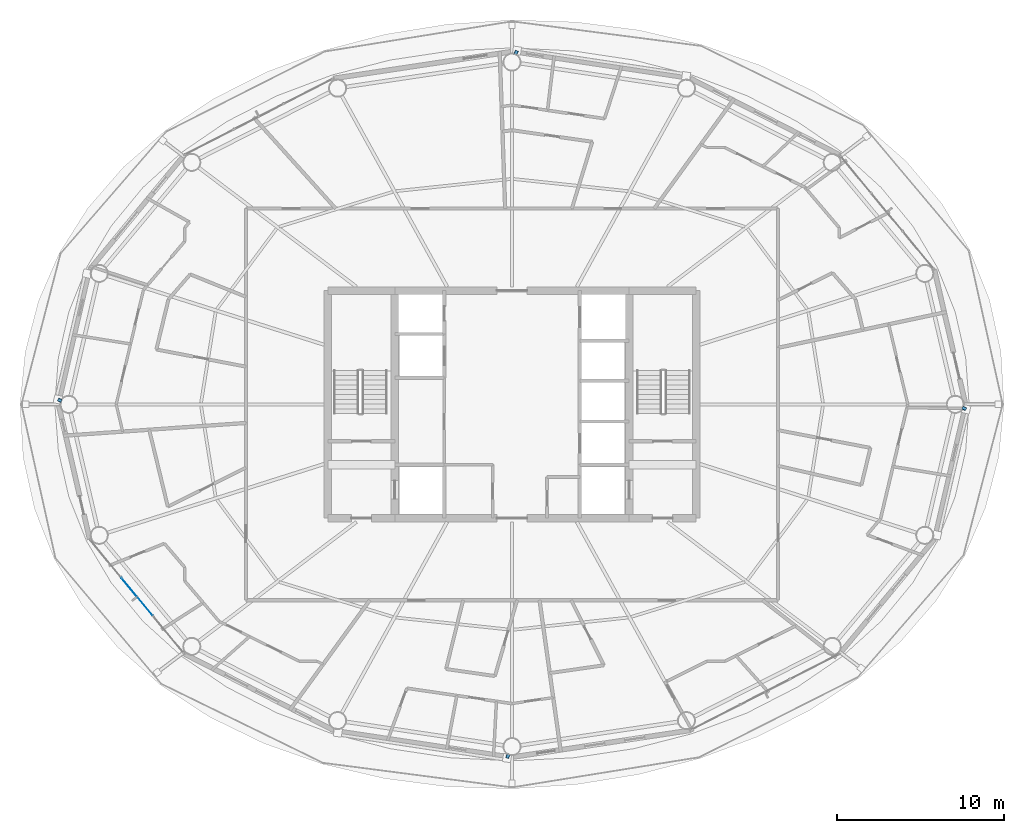
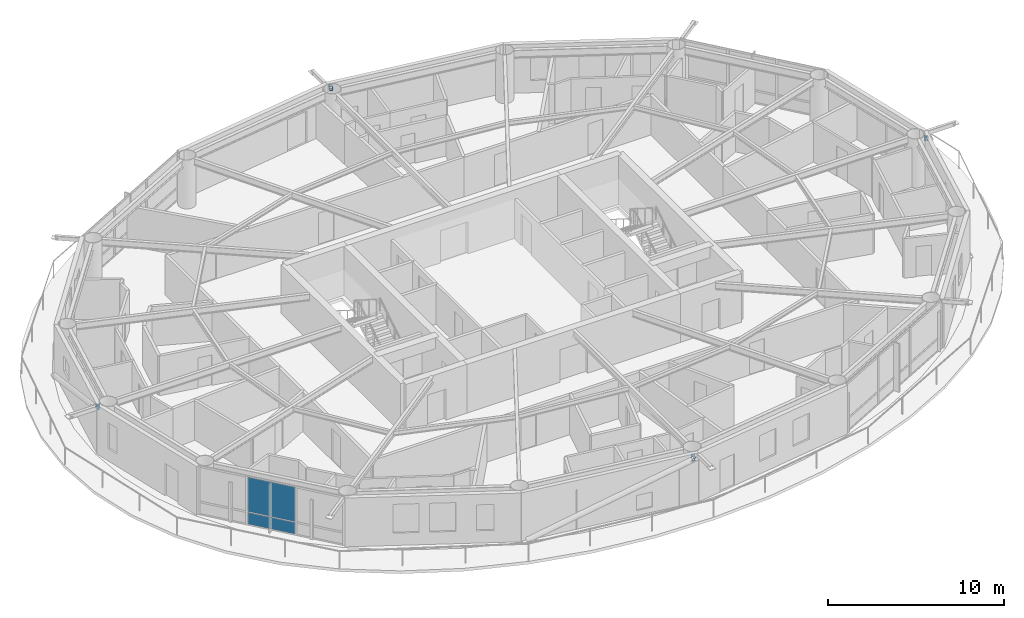
# One storey, part 16 of 30: 4 members, 2 plates, 1 element without a shape of its own.
"""IFC4 building model written with IfcOpenShell, lengths in metres."""

from ifc_helpers import new_model, si_unit, direction, frame, origin, origin_2d, place, context, subcontext, project, spatial, rectangle, hollow_rectangle, extrude, material, layer, layer_set, material_profile, profile_set, type_object, element, aggregate, save


model = new_model("IFC4")

# Units and contexts
model_context = context("Model", 3, precision=1e-05, world=origin(), true_north=direction((0.0, 1.0)))
body_context = subcontext(model_context, "Body", "Model", "MODEL_VIEW")
ifc_project = project(units=[si_unit("LENGTHUNIT", "METRE"), si_unit("AREAUNIT", "SQUARE_METRE"), si_unit("VOLUMEUNIT", "CUBIC_METRE"), si_unit("PLANEANGLEUNIT", "RADIAN"), si_unit("MASSUNIT", "GRAM", prefix="KILO")], contexts=[model_context])

# Site, building, storey
site_placement = place(None, origin())
site = spatial("IfcSite", under=ifc_project, at=site_placement, CompositionType="ELEMENT")
building_placement = place(site_placement, origin())
building = spatial("IfcBuilding", under=site, at=building_placement, Name="Sarneth Arch Tower", CompositionType="ELEMENT")
storey_placement = place(building_placement, frame((0.0, 0.0, 161.39990234375)))
storey = spatial("IfcBuildingStorey", under=building, at=storey_placement, Name="L40", CompositionType="ELEMENT", Elevation=161.39990234375)

# Members
ifc_material_1 = material(Name="Steel S355", Category="steel")
ifc_material_profile = material_profile(ifc_material_1, hollow_rectangle(XDim=0.199951171875, YDim=0.300048828125, WallThickness=0.012451171875, InnerFilletRadius=0.018798828125, OuterFilletRadius=0.03125, at=origin_2d()), Name="RHS300x200x12.5")
ifc_profile_set = profile_set([ifc_material_profile], Name="Steel S355")
member_type = type_object("IfcMemberType", Name="MEM-CANT-STRUT", PredefinedType="STRUT", material=ifc_profile_set)
member_1_placement = place(storey_placement, frame((48.187744140625, 62.883544921875, 3.05078125), z_axis=(0.397032763308, 0.917804437154, 0.0), x_axis=(-0.917804437154, 0.397032763308, 0.0)))
element("IfcMember", 1, at=member_1_placement, inside=storey, type_object=member_type, Name="L40 Exoskeleton brace node strut 04B", PredefinedType="STRUT", context=body_context, shape_type="SweptSolid", body=[
    extrude(hollow_rectangle(XDim=0.199951171875, YDim=0.300048828125, WallThickness=0.012451171875, InnerFilletRadius=0.018798828125, OuterFilletRadius=0.03125, at=origin_2d()), origin(), (0.0, 0.0, 1.0), 0.274169921875),
])
member_2_placement = place(storey_placement, frame((21.0830078125, 42.19580078125, 3.05078125), z_axis=(-0.910186836564, 0.414197926777, 0.0), x_axis=(-0.414197926777, -0.910186836564, 0.0)))
element("IfcMember", 2, at=member_2_placement, inside=storey, type_object=member_type, Name="L40 Exoskeleton brace node strut 08B", PredefinedType="STRUT", context=body_context, shape_type="SweptSolid", body=[
    extrude(hollow_rectangle(XDim=0.199951171875, YDim=0.300048828125, WallThickness=0.012451171875, InnerFilletRadius=0.018798828125, OuterFilletRadius=0.03125, at=origin_2d()), origin(), (0.0, 0.0, 1.0), 0.23291015625),
])
member_3_placement = place(storey_placement, frame((47.812255859375, 21.116455078125, 3.05078125), z_axis=(-0.397032763308, -0.917804437154, 0.0), x_axis=(0.917804437154, -0.397032763308, 0.0)))
element("IfcMember", 3, at=member_3_placement, inside=storey, type_object=member_type, Name="L40 Exoskeleton brace node strut 12B", PredefinedType="STRUT", context=body_context, shape_type="SweptSolid", body=[
    extrude(hollow_rectangle(XDim=0.199951171875, YDim=0.300048828125, WallThickness=0.012451171875, InnerFilletRadius=0.018798828125, OuterFilletRadius=0.03125, at=origin_2d()), origin(), (0.0, 0.0, 1.0), 0.274169921875),
])
member_4_placement = place(storey_placement, frame((74.9169921875, 41.80419921875, 3.05078125), z_axis=(0.910186836564, -0.414197926777, 0.0), x_axis=(0.414197926777, 0.910186836564, 0.0)))
element("IfcMember", 4, at=member_4_placement, inside=storey, type_object=member_type, Name="L40 Exoskeleton brace node strut 16B", PredefinedType="STRUT", context=body_context, shape_type="SweptSolid", body=[
    extrude(hollow_rectangle(XDim=0.199951171875, YDim=0.300048828125, WallThickness=0.012451171875, InnerFilletRadius=0.018798828125, OuterFilletRadius=0.03125, at=origin_2d()), origin(), (0.0, 0.0, 1.0), 0.23291015625),
])

# Curtain wall, plates
ifc_material_2 = material(Name="Anodised aluminium Type AA25 and solar-control low-e laminated IGU", Category="aluminium")
ifc_layer_1 = layer(ifc_material_2, 0.169921875)
ifc_layer_set_1 = layer_set([ifc_layer_1], Name="Anodised aluminium Type AA25 and solar-control low-e laminated IGU")
curtain_wall_type = type_object("IfcCurtainWallType", Name="CW-RES-MID", PredefinedType="NOTDEFINED", material=ifc_layer_set_1)
curtain_wall_placement = place(storey_placement, origin())
curtain_wall = element("IfcCurtainWall", 5, at=curtain_wall_placement, inside=storey, type_object=curtain_wall_type, Name="L40 Unitised curtain wall facet 10", PredefinedType="NOTDEFINED")
ifc_material_3 = material(Name="Solar-control low-e laminated IGU", Category="glass")
ifc_layer_2 = layer(ifc_material_3, 0.028076171875)
ifc_layer_set_2 = layer_set([ifc_layer_2], Name="Solar-control low-e laminated IGU")
plate_type = type_object("IfcPlateType", Name="CW-PANEL", PredefinedType="CURTAIN_PANEL", material=ifc_layer_set_2)
plate_1_placement = place(storey_placement, frame((25.595703125, 30.513671875, 0.06005859375), z_axis=(0.0, 0.0, 1.0), x_axis=(0.637330298558, -0.770590741276, 0.0)))
plate_1 = element("IfcPlate", 6, at=plate_1_placement, type_object=plate_type, Name="Curtain wall glazed vision pane CW-L40-F10/P01-00", PredefinedType="CURTAIN_PANEL", context=body_context, shape_type="SweptSolid", body=[
    extrude(rectangle(XDim=2.898193359375, YDim=0.028076171875, at=origin_2d()), origin(), (0.0, 0.0, 1.0), 0.81005859375),
])
plate_2_placement = place(storey_placement, frame((25.595703125, 30.513671875, 0.93017578125), z_axis=(0.0, 0.0, 1.0), x_axis=(0.637330298558, -0.770590741276, 0.0)))
plate_2 = element("IfcPlate", 7, at=plate_2_placement, type_object=plate_type, Name="Curtain wall glazed vision pane CW-L40-F10/P01-01", PredefinedType="CURTAIN_PANEL", context=body_context, shape_type="SweptSolid", body=[
    extrude(rectangle(XDim=2.898193359375, YDim=0.028076171875, at=origin_2d()), origin(), (0.0, 0.0, 1.0), 2.389892578125),
])
aggregate(curtain_wall, [plate_1, plate_2])

save(model, "model.ifc")
